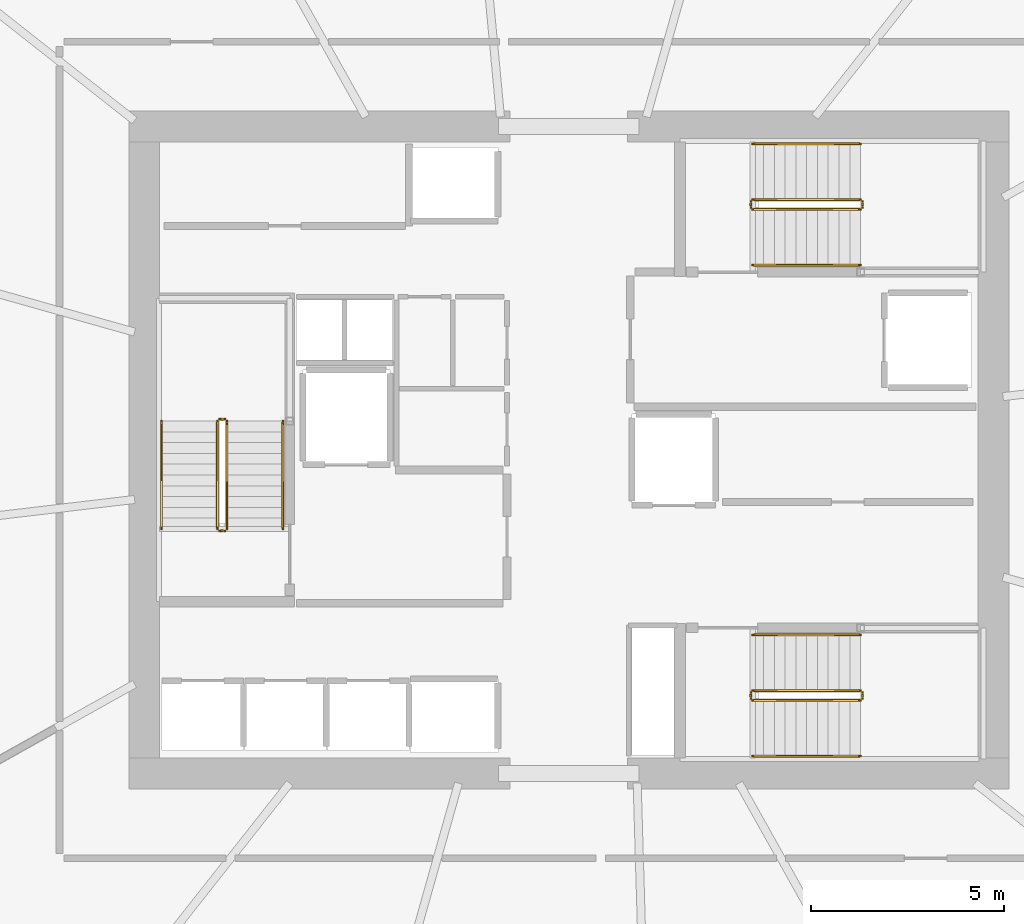
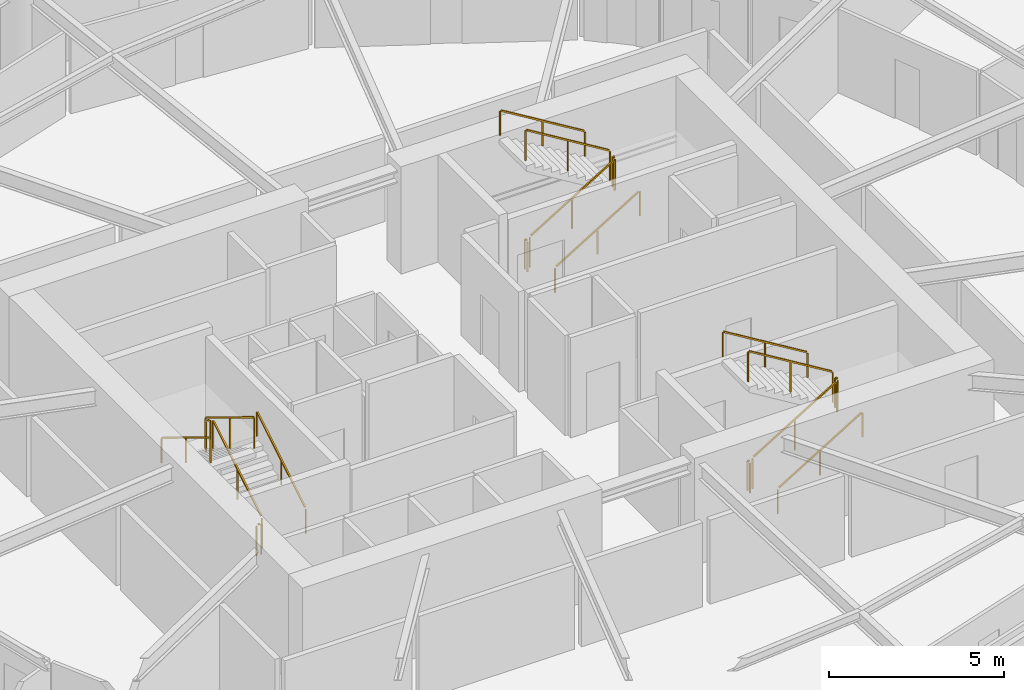
# One storey, part 17 of 17: 18 railings.
"""IFC4 building model written with IfcOpenShell, lengths in metres."""

from ifc_helpers import new_model, si_unit, direction, frame, origin, origin_2d, place, context, subcontext, project, spatial, rectangle, extrude, material, type_object, element, save


model = new_model("IFC4")

# Units and contexts
model_context = context("Model", 3, precision=1e-05, world=origin(), true_north=direction((0.0, 1.0)))
body_context = subcontext(model_context, "Body", "Model", "MODEL_VIEW")
ifc_project = project(units=[si_unit("LENGTHUNIT", "METRE"), si_unit("AREAUNIT", "SQUARE_METRE"), si_unit("VOLUMEUNIT", "CUBIC_METRE"), si_unit("PLANEANGLEUNIT", "RADIAN"), si_unit("MASSUNIT", "GRAM", prefix="KILO")], contexts=[model_context])

# Site, building, storey
site_placement = place(None, origin())
site = spatial("IfcSite", under=ifc_project, at=site_placement, CompositionType="ELEMENT")
building_placement = place(site_placement, origin())
building = spatial("IfcBuilding", under=site, at=building_placement, Name="Kazma Halo Residences", CompositionType="ELEMENT")
storey_placement = place(building_placement, frame((0.0, 0.0, 75.14990234375)))
storey = spatial("IfcBuildingStorey", under=building, at=storey_placement, Name="L18", CompositionType="ELEMENT", Elevation=75.14990234375)

# Railings
ifc_material_1 = material(Name="Painted Steel S355", Category="steel")
railing_type_1 = type_object("IfcRailingType", Name="RLG-STAIR-GRD-1100", PredefinedType="GUARDRAIL", material=ifc_material_1)
railing_1_placement = place(storey_placement, frame((39.550048828125, 39.949951171875, 0.170654296875)))
element("IfcRailing", 1, at=railing_1_placement, inside=storey, type_object=railing_type_1, Name="L18 ST-01 stair guard 1", PredefinedType="GUARDRAIL", context=body_context, shape_type="SweptSolid", body=[
    extrude(rectangle(XDim=0.050048828125, YDim=0.050048828125, at=origin_2d()), frame((0.0, 0.036376953125, 1.09716796875), z_axis=(0.0, 0.854202870247, 0.519939858505), x_axis=(-1.0, 0.0, 0.0)), (0.0, 0.0, 1.0), 3.19287109375),
    extrude(rectangle(XDim=0.0400390625, YDim=0.0400390625, at=origin_2d()), origin(), (0.0, 0.0, 1.0), 1.0380859375),
    extrude(rectangle(XDim=0.0400390625, YDim=0.0400390625, at=origin_2d()), frame((0.0, 1.39990234375, 0.85205078125)), (0.0, 0.0, 1.0), 1.0380859375),
    extrude(rectangle(XDim=0.0400390625, YDim=0.0400390625, at=origin_2d()), frame((0.0, 2.800048828125, 1.704345703125)), (0.0, 0.0, 1.0), 1.0380859375),
])
railing_2_placement = place(storey_placement, frame((39.5, 42.800048828125, 1.875)))
element("IfcRailing", 2, at=railing_2_placement, inside=storey, type_object=railing_type_1, Name="L18 ST-01 stair guard 2", PredefinedType="GUARDRAIL", context=body_context, shape_type="SweptSolid", body=[
    extrude(rectangle(XDim=0.050048828125, YDim=0.050048828125, at=origin_2d()), frame((-0.04248046875, 0.0, 1.0751953125), z_axis=(-1.0, 0.0, 0.0), x_axis=(0.0, -1.0, 0.0)), (0.0, 0.0, 1.0), 0.06494140625),
    extrude(rectangle(XDim=0.0400390625, YDim=0.0400390625, at=origin_2d()), origin(), (0.0, 0.0, 1.0), 1.0380859375),
    extrude(rectangle(XDim=0.0400390625, YDim=0.0400390625, at=origin_2d()), frame((-0.14990234375, 0.0, 0.0)), (0.0, 0.0, 1.0), 1.0380859375),
])
railing_3_placement = place(storey_placement, frame((39.300048828125, 42.75, 2.045654296875)))
element("IfcRailing", 3, at=railing_3_placement, inside=storey, type_object=railing_type_1, Name="L18 ST-01 stair guard 3", PredefinedType="GUARDRAIL", context=body_context, shape_type="SweptSolid", body=[
    extrude(rectangle(XDim=0.050048828125, YDim=0.050048828125, at=origin_2d()), frame((0.0, -0.036376953125, 1.09716796875), z_axis=(0.0, -0.854202870247, 0.519939858505), x_axis=(1.0, 0.0, 0.0)), (0.0, 0.0, 1.0), 3.19287109375),
    extrude(rectangle(XDim=0.0400390625, YDim=0.0400390625, at=origin_2d()), origin(), (0.0, 0.0, 1.0), 1.0380859375),
    extrude(rectangle(XDim=0.0400390625, YDim=0.0400390625, at=origin_2d()), frame((0.0, -1.39990234375, 0.85205078125)), (0.0, 0.0, 1.0), 1.0380859375),
    extrude(rectangle(XDim=0.0400390625, YDim=0.0400390625, at=origin_2d()), frame((0.0, -2.800048828125, 1.704345703125)), (0.0, 0.0, 1.0), 1.0380859375),
])
railing_4_placement = place(storey_placement, frame((39.5, 39.89990234375, 0.0)))
element("IfcRailing", 4, at=railing_4_placement, inside=storey, type_object=railing_type_1, Name="L18 ST-01 stair guard 4", PredefinedType="GUARDRAIL", context=body_context, shape_type="SweptSolid", body=[
    extrude(rectangle(XDim=0.050048828125, YDim=0.050048828125, at=origin_2d()), frame((-0.04248046875, 0.0, 1.0751953125), z_axis=(-1.0, 0.0, 0.0), x_axis=(0.0, -1.0, 0.0)), (0.0, 0.0, 1.0), 0.06494140625),
    extrude(rectangle(XDim=0.0400390625, YDim=0.0400390625, at=origin_2d()), origin(), (0.0, 0.0, 1.0), 1.0380859375),
    extrude(rectangle(XDim=0.0400390625, YDim=0.0400390625, at=origin_2d()), frame((-0.14990234375, 0.0, 0.0)), (0.0, 0.0, 1.0), 1.0380859375),
])
railing_5_placement = place(storey_placement, frame((53.199951171875, 48.25, 0.170654296875)))
element("IfcRailing", 5, at=railing_5_placement, inside=storey, type_object=railing_type_1, Name="L18 ST-02 stair guard 1", PredefinedType="GUARDRAIL", context=body_context, shape_type="SweptSolid", body=[
    extrude(rectangle(XDim=0.050048828125, YDim=0.050048828125, at=origin_2d()), frame((0.036376953125, 0.0, 1.09716796875), z_axis=(0.854202870247, 0.0, 0.519939858505), x_axis=(0.0, 1.0, 0.0)), (0.0, 0.0, 1.0), 3.19287109375),
    extrude(rectangle(XDim=0.0400390625, YDim=0.0400390625, at=origin_2d()), origin(), (0.0, 0.0, 1.0), 1.0380859375),
    extrude(rectangle(XDim=0.0400390625, YDim=0.0400390625, at=origin_2d()), frame((1.39990234375, 0.0, 0.85205078125)), (0.0, 0.0, 1.0), 1.0380859375),
    extrude(rectangle(XDim=0.0400390625, YDim=0.0400390625, at=origin_2d()), frame((2.800048828125, 0.0, 1.704345703125)), (0.0, 0.0, 1.0), 1.0380859375),
])
railing_6_placement = place(storey_placement, frame((56.050048828125, 48.300048828125, 1.875)))
element("IfcRailing", 6, at=railing_6_placement, inside=storey, type_object=railing_type_1, Name="L18 ST-02 stair guard 2", PredefinedType="GUARDRAIL", context=body_context, shape_type="SweptSolid", body=[
    extrude(rectangle(XDim=0.050048828125, YDim=0.050048828125, at=origin_2d()), frame((0.0, 0.04248046875, 1.0751953125), z_axis=(0.0, 1.0, 0.0), x_axis=(-1.0, 0.0, 0.0)), (0.0, 0.0, 1.0), 0.06494140625),
    extrude(rectangle(XDim=0.0400390625, YDim=0.0400390625, at=origin_2d()), origin(), (0.0, 0.0, 1.0), 1.0380859375),
    extrude(rectangle(XDim=0.0400390625, YDim=0.0400390625, at=origin_2d()), frame((0.0, 0.14990234375, 0.0)), (0.0, 0.0, 1.0), 1.0380859375),
])
railing_7_placement = place(storey_placement, frame((56.0, 48.5, 2.045654296875)))
element("IfcRailing", 7, at=railing_7_placement, inside=storey, type_object=railing_type_1, Name="L18 ST-02 stair guard 3", PredefinedType="GUARDRAIL", context=body_context, shape_type="SweptSolid", body=[
    extrude(rectangle(XDim=0.050048828125, YDim=0.050048828125, at=origin_2d()), frame((-0.036376953125, 0.0, 1.09716796875), z_axis=(-0.854202870247, 0.0, 0.519939858505), x_axis=(0.0, -1.0, 0.0)), (0.0, 0.0, 1.0), 3.19287109375),
    extrude(rectangle(XDim=0.0400390625, YDim=0.0400390625, at=origin_2d()), origin(), (0.0, 0.0, 1.0), 1.0380859375),
    extrude(rectangle(XDim=0.0400390625, YDim=0.0400390625, at=origin_2d()), frame((-1.39990234375, 0.0, 0.85205078125)), (0.0, 0.0, 1.0), 1.0380859375),
    extrude(rectangle(XDim=0.0400390625, YDim=0.0400390625, at=origin_2d()), frame((-2.800048828125, 0.0, 1.704345703125)), (0.0, 0.0, 1.0), 1.0380859375),
])
railing_8_placement = place(storey_placement, frame((53.14990234375, 48.300048828125, 0.0)))
element("IfcRailing", 8, at=railing_8_placement, inside=storey, type_object=railing_type_1, Name="L18 ST-02 stair guard 4", PredefinedType="GUARDRAIL", context=body_context, shape_type="SweptSolid", body=[
    extrude(rectangle(XDim=0.050048828125, YDim=0.050048828125, at=origin_2d()), frame((0.0, 0.04248046875, 1.0751953125), z_axis=(0.0, 1.0, 0.0), x_axis=(-1.0, 0.0, 0.0)), (0.0, 0.0, 1.0), 0.06494140625),
    extrude(rectangle(XDim=0.0400390625, YDim=0.0400390625, at=origin_2d()), origin(), (0.0, 0.0, 1.0), 1.0380859375),
    extrude(rectangle(XDim=0.0400390625, YDim=0.0400390625, at=origin_2d()), frame((0.0, 0.14990234375, 0.0)), (0.0, 0.0, 1.0), 1.0380859375),
])
railing_9_placement = place(storey_placement, frame((53.199951171875, 35.5, 0.170654296875)))
element("IfcRailing", 9, at=railing_9_placement, inside=storey, type_object=railing_type_1, Name="L18 ST-03 stair guard 1", PredefinedType="GUARDRAIL", context=body_context, shape_type="SweptSolid", body=[
    extrude(rectangle(XDim=0.050048828125, YDim=0.050048828125, at=origin_2d()), frame((0.036376953125, 0.0, 1.09716796875), z_axis=(0.854202870247, 0.0, 0.519939858505), x_axis=(0.0, 1.0, 0.0)), (0.0, 0.0, 1.0), 3.19287109375),
    extrude(rectangle(XDim=0.0400390625, YDim=0.0400390625, at=origin_2d()), origin(), (0.0, 0.0, 1.0), 1.0380859375),
    extrude(rectangle(XDim=0.0400390625, YDim=0.0400390625, at=origin_2d()), frame((1.39990234375, 0.0, 0.85205078125)), (0.0, 0.0, 1.0), 1.0380859375),
    extrude(rectangle(XDim=0.0400390625, YDim=0.0400390625, at=origin_2d()), frame((2.800048828125, 0.0, 1.704345703125)), (0.0, 0.0, 1.0), 1.0380859375),
])
railing_10_placement = place(storey_placement, frame((56.050048828125, 35.550048828125, 1.875)))
element("IfcRailing", 10, at=railing_10_placement, inside=storey, type_object=railing_type_1, Name="L18 ST-03 stair guard 2", PredefinedType="GUARDRAIL", context=body_context, shape_type="SweptSolid", body=[
    extrude(rectangle(XDim=0.050048828125, YDim=0.050048828125, at=origin_2d()), frame((0.0, 0.04248046875, 1.0751953125), z_axis=(0.0, 1.0, 0.0), x_axis=(-1.0, 0.0, 0.0)), (0.0, 0.0, 1.0), 0.06494140625),
    extrude(rectangle(XDim=0.0400390625, YDim=0.0400390625, at=origin_2d()), origin(), (0.0, 0.0, 1.0), 1.0380859375),
    extrude(rectangle(XDim=0.0400390625, YDim=0.0400390625, at=origin_2d()), frame((0.0, 0.14990234375, 0.0)), (0.0, 0.0, 1.0), 1.0380859375),
])
railing_11_placement = place(storey_placement, frame((56.0, 35.75, 2.045654296875)))
element("IfcRailing", 11, at=railing_11_placement, inside=storey, type_object=railing_type_1, Name="L18 ST-03 stair guard 3", PredefinedType="GUARDRAIL", context=body_context, shape_type="SweptSolid", body=[
    extrude(rectangle(XDim=0.050048828125, YDim=0.050048828125, at=origin_2d()), frame((-0.036376953125, 0.0, 1.09716796875), z_axis=(-0.854202870247, 0.0, 0.519939858505), x_axis=(0.0, -1.0, 0.0)), (0.0, 0.0, 1.0), 3.19287109375),
    extrude(rectangle(XDim=0.0400390625, YDim=0.0400390625, at=origin_2d()), origin(), (0.0, 0.0, 1.0), 1.0380859375),
    extrude(rectangle(XDim=0.0400390625, YDim=0.0400390625, at=origin_2d()), frame((-1.39990234375, 0.0, 0.85205078125)), (0.0, 0.0, 1.0), 1.0380859375),
    extrude(rectangle(XDim=0.0400390625, YDim=0.0400390625, at=origin_2d()), frame((-2.800048828125, 0.0, 1.704345703125)), (0.0, 0.0, 1.0), 1.0380859375),
])
railing_12_placement = place(storey_placement, frame((53.14990234375, 35.550048828125, 0.0)))
element("IfcRailing", 12, at=railing_12_placement, inside=storey, type_object=railing_type_1, Name="L18 ST-03 stair guard 4", PredefinedType="GUARDRAIL", context=body_context, shape_type="SweptSolid", body=[
    extrude(rectangle(XDim=0.050048828125, YDim=0.050048828125, at=origin_2d()), frame((0.0, 0.04248046875, 1.0751953125), z_axis=(0.0, 1.0, 0.0), x_axis=(-1.0, 0.0, 0.0)), (0.0, 0.0, 1.0), 0.06494140625),
    extrude(rectangle(XDim=0.0400390625, YDim=0.0400390625, at=origin_2d()), origin(), (0.0, 0.0, 1.0), 1.0380859375),
    extrude(rectangle(XDim=0.0400390625, YDim=0.0400390625, at=origin_2d()), frame((0.0, 0.14990234375, 0.0)), (0.0, 0.0, 1.0), 1.0380859375),
])
ifc_material_2 = material(Name="Brushed Stainless Steel", Category="steel")
railing_type_2 = type_object("IfcRailingType", Name="RLG-STAIR-HND-900", PredefinedType="HANDRAIL", material=ifc_material_2)
railing_13_placement = place(storey_placement, frame((41.0, 39.949951171875, 0.170654296875)))
element("IfcRailing", 13, at=railing_13_placement, inside=storey, type_object=railing_type_2, Name="L18 ST-01 stair handrail 1", PredefinedType="HANDRAIL", context=body_context, shape_type="SweptSolid", body=[
    extrude(rectangle(XDim=0.050048828125, YDim=0.050048828125, at=origin_2d()), frame((0.0, 0.036376953125, 0.89697265625), z_axis=(0.0, 0.854202870247, 0.519939858505), x_axis=(-1.0, 0.0, 0.0)), (0.0, 0.0, 1.0), 3.19287109375),
    extrude(rectangle(XDim=0.0400390625, YDim=0.0400390625, at=origin_2d()), origin(), (0.0, 0.0, 1.0), 0.837890625),
    extrude(rectangle(XDim=0.0400390625, YDim=0.0400390625, at=origin_2d()), frame((0.0, 1.39990234375, 0.85205078125)), (0.0, 0.0, 1.0), 0.837890625),
    extrude(rectangle(XDim=0.0400390625, YDim=0.0400390625, at=origin_2d()), frame((0.0, 2.800048828125, 1.704345703125)), (0.0, 0.0, 1.0), 0.837890625),
])
railing_14_placement = place(storey_placement, frame((37.85009765625, 42.75, 2.045654296875)))
element("IfcRailing", 14, at=railing_14_placement, inside=storey, type_object=railing_type_2, Name="L18 ST-01 stair handrail 2", PredefinedType="HANDRAIL", context=body_context, shape_type="SweptSolid", body=[
    extrude(rectangle(XDim=0.050048828125, YDim=0.050048828125, at=origin_2d()), frame((0.0, -0.036376953125, 0.89697265625), z_axis=(0.0, -0.854202870247, 0.519939858505), x_axis=(1.0, 0.0, 0.0)), (0.0, 0.0, 1.0), 3.19287109375),
    extrude(rectangle(XDim=0.0400390625, YDim=0.0400390625, at=origin_2d()), origin(), (0.0, 0.0, 1.0), 0.837890625),
    extrude(rectangle(XDim=0.0400390625, YDim=0.0400390625, at=origin_2d()), frame((0.0, -1.39990234375, 0.85205078125)), (0.0, 0.0, 1.0), 0.837890625),
    extrude(rectangle(XDim=0.0400390625, YDim=0.0400390625, at=origin_2d()), frame((0.0, -2.800048828125, 1.704345703125)), (0.0, 0.0, 1.0), 0.837890625),
])
railing_15_placement = place(storey_placement, frame((53.199951171875, 46.800048828125, 0.170654296875)))
element("IfcRailing", 15, at=railing_15_placement, inside=storey, type_object=railing_type_2, Name="L18 ST-02 stair handrail 1", PredefinedType="HANDRAIL", context=body_context, shape_type="SweptSolid", body=[
    extrude(rectangle(XDim=0.050048828125, YDim=0.050048828125, at=origin_2d()), frame((0.036376953125, 0.0, 0.89697265625), z_axis=(0.854202870247, 0.0, 0.519939858505), x_axis=(0.0, 1.0, 0.0)), (0.0, 0.0, 1.0), 3.19287109375),
    extrude(rectangle(XDim=0.0400390625, YDim=0.0400390625, at=origin_2d()), origin(), (0.0, 0.0, 1.0), 0.837890625),
    extrude(rectangle(XDim=0.0400390625, YDim=0.0400390625, at=origin_2d()), frame((1.39990234375, 0.0, 0.85205078125)), (0.0, 0.0, 1.0), 0.837890625),
    extrude(rectangle(XDim=0.0400390625, YDim=0.0400390625, at=origin_2d()), frame((2.800048828125, 0.0, 1.704345703125)), (0.0, 0.0, 1.0), 0.837890625),
])
railing_16_placement = place(storey_placement, frame((56.0, 49.949951171875, 2.045654296875)))
element("IfcRailing", 16, at=railing_16_placement, inside=storey, type_object=railing_type_2, Name="L18 ST-02 stair handrail 2", PredefinedType="HANDRAIL", context=body_context, shape_type="SweptSolid", body=[
    extrude(rectangle(XDim=0.050048828125, YDim=0.050048828125, at=origin_2d()), frame((-0.036376953125, 0.0, 0.89697265625), z_axis=(-0.854202870247, 0.0, 0.519939858505), x_axis=(0.0, -1.0, 0.0)), (0.0, 0.0, 1.0), 3.19287109375),
    extrude(rectangle(XDim=0.0400390625, YDim=0.0400390625, at=origin_2d()), origin(), (0.0, 0.0, 1.0), 0.837890625),
    extrude(rectangle(XDim=0.0400390625, YDim=0.0400390625, at=origin_2d()), frame((-1.39990234375, 0.0, 0.85205078125)), (0.0, 0.0, 1.0), 0.837890625),
    extrude(rectangle(XDim=0.0400390625, YDim=0.0400390625, at=origin_2d()), frame((-2.800048828125, 0.0, 1.704345703125)), (0.0, 0.0, 1.0), 0.837890625),
])
railing_17_placement = place(storey_placement, frame((53.199951171875, 34.050048828125, 0.170654296875)))
element("IfcRailing", 17, at=railing_17_placement, inside=storey, type_object=railing_type_2, Name="L18 ST-03 stair handrail 1", PredefinedType="HANDRAIL", context=body_context, shape_type="SweptSolid", body=[
    extrude(rectangle(XDim=0.050048828125, YDim=0.050048828125, at=origin_2d()), frame((0.036376953125, 0.0, 0.89697265625), z_axis=(0.854202870247, 0.0, 0.519939858505), x_axis=(0.0, 1.0, 0.0)), (0.0, 0.0, 1.0), 3.19287109375),
    extrude(rectangle(XDim=0.0400390625, YDim=0.0400390625, at=origin_2d()), origin(), (0.0, 0.0, 1.0), 0.837890625),
    extrude(rectangle(XDim=0.0400390625, YDim=0.0400390625, at=origin_2d()), frame((1.39990234375, 0.0, 0.85205078125)), (0.0, 0.0, 1.0), 0.837890625),
    extrude(rectangle(XDim=0.0400390625, YDim=0.0400390625, at=origin_2d()), frame((2.800048828125, 0.0, 1.704345703125)), (0.0, 0.0, 1.0), 0.837890625),
])
railing_18_placement = place(storey_placement, frame((56.0, 37.199951171875, 2.045654296875)))
element("IfcRailing", 18, at=railing_18_placement, inside=storey, type_object=railing_type_2, Name="L18 ST-03 stair handrail 2", PredefinedType="HANDRAIL", context=body_context, shape_type="SweptSolid", body=[
    extrude(rectangle(XDim=0.050048828125, YDim=0.050048828125, at=origin_2d()), frame((-0.036376953125, 0.0, 0.89697265625), z_axis=(-0.854202870247, 0.0, 0.519939858505), x_axis=(0.0, -1.0, 0.0)), (0.0, 0.0, 1.0), 3.19287109375),
    extrude(rectangle(XDim=0.0400390625, YDim=0.0400390625, at=origin_2d()), origin(), (0.0, 0.0, 1.0), 0.837890625),
    extrude(rectangle(XDim=0.0400390625, YDim=0.0400390625, at=origin_2d()), frame((-1.39990234375, 0.0, 0.85205078125)), (0.0, 0.0, 1.0), 0.837890625),
    extrude(rectangle(XDim=0.0400390625, YDim=0.0400390625, at=origin_2d()), frame((-2.800048828125, 0.0, 1.704345703125)), (0.0, 0.0, 1.0), 0.837890625),
])

save(model, "model.ifc")
